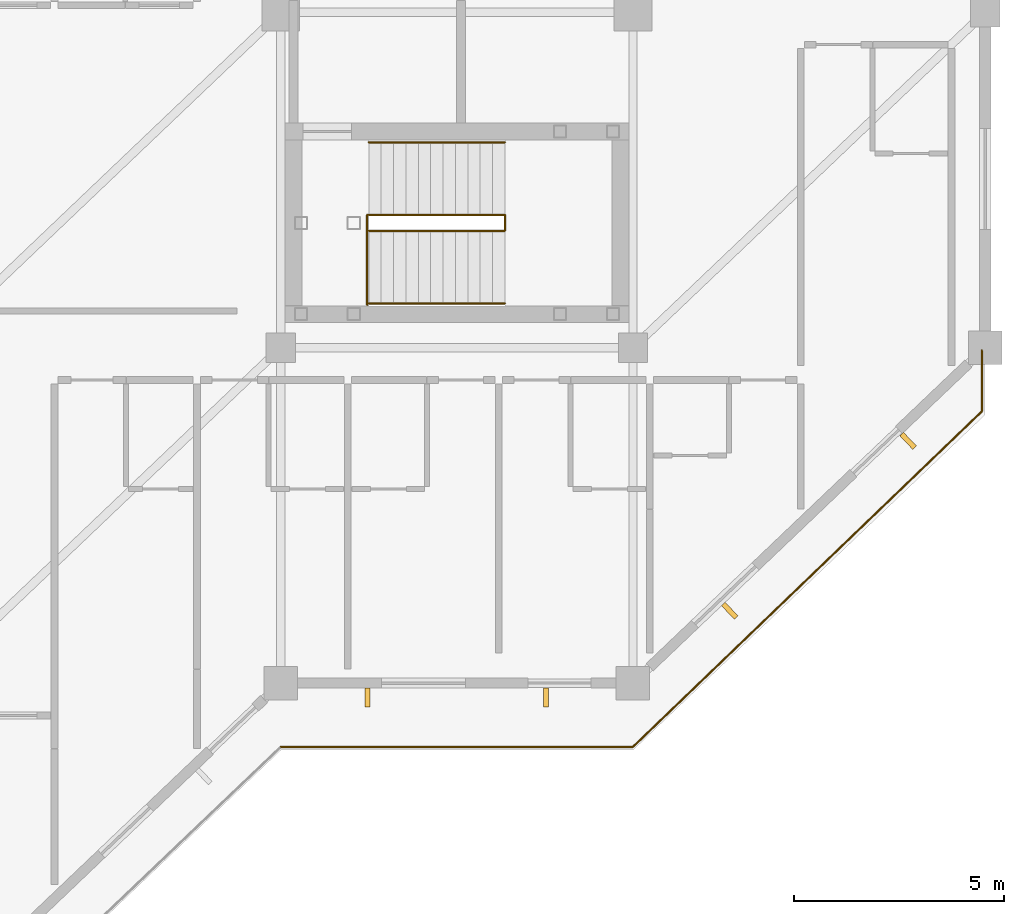
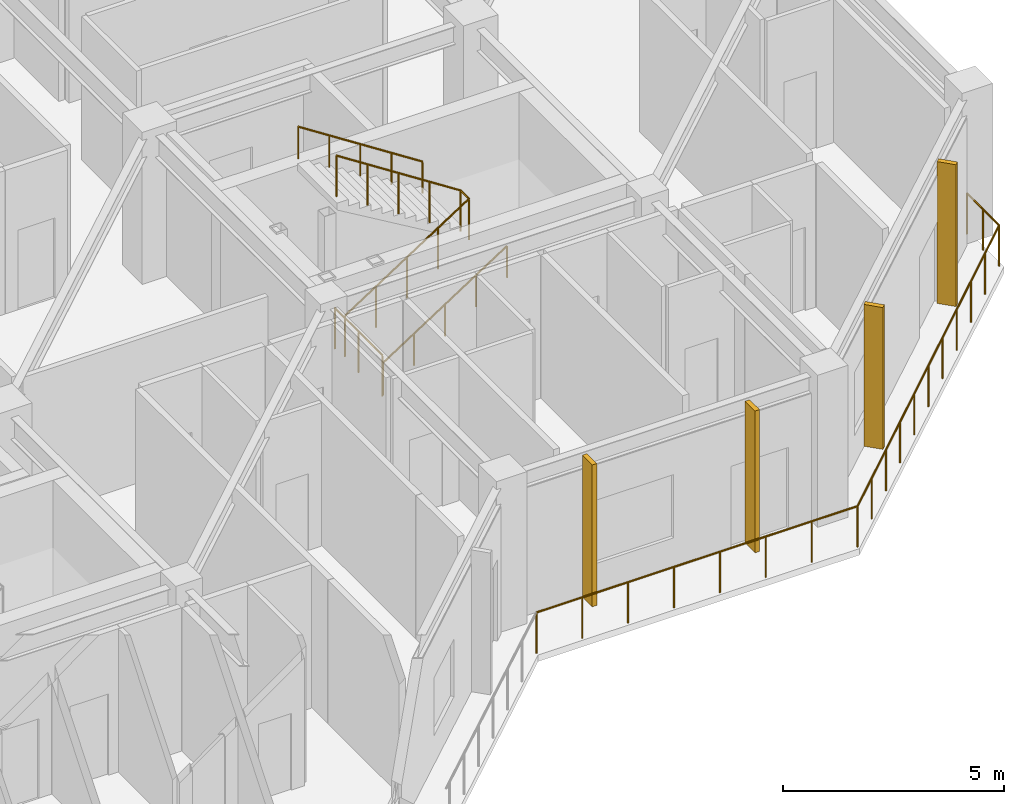
# One storey, part 21 of 22: 9 railings, 4 shading devices.
"""IFC4 building model written with IfcOpenShell, lengths in metres."""

from ifc_helpers import new_model, si_unit, direction, frame, origin, origin_2d, place, context, subcontext, project, spatial, rectangle, circle, extrude, material, layer, layer_set, type_object, element, save


model = new_model("IFC4")

# Units and contexts
model_context = context("Model", 3, precision=1e-05, world=origin(), true_north=direction((0.0, 1.0)))
body_context = subcontext(model_context, "Body", "Model", "MODEL_VIEW")
ifc_project = project(units=[si_unit("LENGTHUNIT", "METRE"), si_unit("AREAUNIT", "SQUARE_METRE"), si_unit("VOLUMEUNIT", "CUBIC_METRE"), si_unit("PLANEANGLEUNIT", "RADIAN"), si_unit("MASSUNIT", "GRAM", prefix="KILO")], contexts=[model_context])

# Site, building, storey
site_placement = place(None, origin())
site = spatial("IfcSite", under=ifc_project, at=site_placement, CompositionType="ELEMENT")
building_placement = place(site_placement, origin())
building = spatial("IfcBuilding", under=site, at=building_placement, Name="Naruveol Harbour Congress Hotel", CompositionType="ELEMENT")
storey_placement = place(building_placement, frame((0.0, 0.0, 21.0)))
storey = spatial("IfcBuildingStorey", under=building, at=storey_placement, Name="L04", CompositionType="ELEMENT", Elevation=21.0)

# Railings
ifc_material_1 = material(Name="Tempered Laminated Safety Glass & Stainless Steel", Category="steel")
ifc_layer_1 = layer(ifc_material_1, 0.06005859375)
ifc_layer_set_1 = layer_set([ifc_layer_1], Name="Tempered Laminated Safety Glass & Stainless Steel")
railing_type_1 = type_object("IfcRailingType", Name="LAMINATED GLASS TERRACE BALUSTRADE 1150", PredefinedType="BALUSTRADE", material=ifc_layer_set_1)
railing_1_placement = place(storey_placement, frame((168.0, 14.47998046875, 0.0)))
element("IfcRailing", 1, at=railing_1_placement, inside=storey, type_object=railing_type_1, Name="L04 Harbour balcony balustrade #75", PredefinedType="BALUSTRADE", context=body_context, shape_type="SweptSolid", body=[
    extrude(circle(Radius=0.02392578125, at=origin_2d()), frame((0.0, 0.0, 1.1259765625), z_axis=(1.0, 0.0, 0.0), x_axis=(0.0, 1.0, 0.0)), (0.0, 0.0, 1.0), 8.39990234375),
    extrude(circle(Radius=0.02099609375, at=origin_2d()), origin(), (0.0, 0.0, 1.0), 1.101806640625),
    extrude(circle(Radius=0.02099609375, at=origin_2d()), frame((1.199951171875, 0.0, 0.0)), (0.0, 0.0, 1.0), 1.101806640625),
    extrude(circle(Radius=0.02099609375, at=origin_2d()), frame((2.39990234375, 0.0, 0.0)), (0.0, 0.0, 1.0), 1.101806640625),
    extrude(circle(Radius=0.02099609375, at=origin_2d()), frame((3.599853515625, 0.0, 0.0)), (0.0, 0.0, 1.0), 1.101806640625),
    extrude(circle(Radius=0.02099609375, at=origin_2d()), frame((4.800048828125, 0.0, 0.0)), (0.0, 0.0, 1.0), 1.101806640625),
    extrude(circle(Radius=0.02099609375, at=origin_2d()), frame((6.0, 0.0, 0.0)), (0.0, 0.0, 1.0), 1.101806640625),
    extrude(circle(Radius=0.02099609375, at=origin_2d()), frame((7.199951171875, 0.0, 0.0)), (0.0, 0.0, 1.0), 1.101806640625),
    extrude(circle(Radius=0.02099609375, at=origin_2d()), frame((8.39990234375, 0.0, 0.0)), (0.0, 0.0, 1.0), 1.101806640625),
])
railing_2_placement = place(storey_placement, frame((176.39990234375, 14.47998046875, 0.0)))
element("IfcRailing", 2, at=railing_2_placement, inside=storey, type_object=railing_type_1, Name="L04 Harbour balcony balustrade #76", PredefinedType="BALUSTRADE", context=body_context, shape_type="SweptSolid", body=[
    extrude(circle(Radius=0.02392578125, at=origin_2d()), frame((0.0, 0.0, 1.1259765625), z_axis=(0.72083591008, 0.693105757255, 0.0), x_axis=(-0.693105757255, 0.72083591008, 0.0)), (0.0, 0.0, 1.0), 11.542236328125),
    extrude(circle(Radius=0.02099609375, at=origin_2d()), origin(), (0.0, 0.0, 1.0), 1.101806640625),
    extrude(circle(Radius=0.02099609375, at=origin_2d()), frame((0.83203125, 0.800048828125, 0.0)), (0.0, 0.0, 1.0), 1.101806640625),
    extrude(circle(Radius=0.02099609375, at=origin_2d()), frame((1.6640625, 1.60009765625, 0.0)), (0.0, 0.0, 1.0), 1.101806640625),
    extrude(circle(Radius=0.02099609375, at=origin_2d()), frame((2.49609375, 2.39990234375, 0.0)), (0.0, 0.0, 1.0), 1.101806640625),
    extrude(circle(Radius=0.02099609375, at=origin_2d()), frame((3.328125, 3.199951171875, 0.0)), (0.0, 0.0, 1.0), 1.101806640625),
    extrude(circle(Radius=0.02099609375, at=origin_2d()), frame((4.16015625, 4.0, 0.0)), (0.0, 0.0, 1.0), 1.101806640625),
    extrude(circle(Radius=0.02099609375, at=origin_2d()), frame((4.991943359375, 4.800048828125, 0.0)), (0.0, 0.0, 1.0), 1.101806640625),
    extrude(circle(Radius=0.02099609375, at=origin_2d()), frame((5.823974609375, 5.60009765625, 0.0)), (0.0, 0.0, 1.0), 1.101806640625),
    extrude(circle(Radius=0.02099609375, at=origin_2d()), frame((6.656005859375, 6.39990234375, 0.0)), (0.0, 0.0, 1.0), 1.101806640625),
    extrude(circle(Radius=0.02099609375, at=origin_2d()), frame((7.488037109375, 7.199951171875, 0.0)), (0.0, 0.0, 1.0), 1.101806640625),
    extrude(circle(Radius=0.02099609375, at=origin_2d()), frame((8.320068359375, 8.0, 0.0)), (0.0, 0.0, 1.0), 1.101806640625),
])
railing_3_placement = place(storey_placement, frame((184.719970703125, 22.47998046875, 0.0)))
element("IfcRailing", 3, at=railing_3_placement, inside=storey, type_object=railing_type_1, Name="L04 Harbour balcony balustrade #77", PredefinedType="BALUSTRADE", context=body_context, shape_type="SweptSolid", body=[
    extrude(circle(Radius=0.02392578125, at=origin_2d()), frame((0.0, 0.0, 1.1259765625), z_axis=(0.0, 1.0, 0.0), x_axis=(-1.0, 0.0, 0.0)), (0.0, 0.0, 1.0), 1.4599609375),
    extrude(circle(Radius=0.02099609375, at=origin_2d()), origin(), (0.0, 0.0, 1.0), 1.101806640625),
    extrude(circle(Radius=0.02099609375, at=origin_2d()), frame((0.0, 0.72998046875, 0.0)), (0.0, 0.0, 1.0), 1.101806640625),
    extrude(circle(Radius=0.02099609375, at=origin_2d()), frame((0.0, 1.4599609375, 0.0)), (0.0, 0.0, 1.0), 1.101806640625),
])

# Shading devices
ifc_material_2 = material(Name="Precast concrete C40/50", Category="concrete")
shading_device_type = type_object("IfcShadingDeviceType", Name="PRECAST VERTICAL BRISE SOLEIL FIN 120X450", PredefinedType="JALOUSIE", material=ifc_material_2)
for number, where, z_axis, x_axis, name in (
    (4, (174.327880859375, 15.659912109375, 0.0), (0.0, 0.0, 1.0), (-1.0, 0.0, 0.0), "Precast brise-soleil fin BS-V450 #19"),
    (5, (170.072021484375, 15.659912109375, 0.0), (0.0, 0.0, 1.0), (-1.0, 0.0, 0.0), "Precast brise-soleil fin BS-V450 #20"),
    (6, (182.9619140625, 21.780029296875, 0.0), (0.0, 0.0, 1.0), (-0.724171861437, -0.689619543736, 0.0), "Precast brise-soleil fin BS-V450 #22"),
    (7, (178.70703125, 17.72705078125, 0.0), (0.0, 0.0, 1.0), (-0.724171861437, -0.689619543736, 0.0), "Precast brise-soleil fin BS-V450 #23"),
):
    element("IfcShadingDevice", number, at=place(storey_placement, frame(where, z_axis=z_axis, x_axis=x_axis)), inside=storey, type_object=shading_device_type, Name=name, PredefinedType="JALOUSIE", context=body_context, shape_type="SweptSolid", body=[
        extrude(rectangle(XDim=0.1201171875, YDim=0.449951171875, at=origin_2d()), origin(), (0.0, 0.0, 1.0), 3.919921875),
    ])

# Railings
ifc_material_3 = material(Name="Stainless Steel 304", Category="steel")
ifc_layer_2 = layer(ifc_material_3, 0.0419921875)
ifc_layer_set_2 = layer_set([ifc_layer_2], Name="Stainless Steel 304")
railing_type_2 = type_object("IfcRailingType", Name="STAIR WALL MOUNTED HANDRAIL 900", PredefinedType="HANDRAIL", material=ifc_layer_set_2)
railing_4_placement = place(storey_placement, frame((170.10009765625, 25.06005859375, 0.0)))
element("IfcRailing", 8, at=railing_4_placement, inside=storey, type_object=railing_type_2, Name="Stair ST4 L04 lower wall handrail", PredefinedType="HANDRAIL", context=body_context, shape_type="SweptSolid", body=[
    extrude(circle(Radius=0.02392578125, at=origin_2d()), frame((0.0, 0.0, 0.8759765625), z_axis=(0.839514229355, 0.0, 0.543337702273), x_axis=(0.0, 1.0, 0.0)), (0.0, 0.0, 1.0), 3.865234375),
    extrude(circle(Radius=0.02099609375, at=origin_2d()), origin(), (0.0, 0.0, 1.0), 0.851806640625),
    extrude(circle(Radius=0.02099609375, at=origin_2d()), frame((0.811279296875, 0.0, 0.52490234375)), (0.0, 0.0, 1.0), 0.851806640625),
    extrude(circle(Radius=0.02099609375, at=origin_2d()), frame((1.62255859375, 0.0, 1.050048828125)), (0.0, 0.0, 1.0), 0.851806640625),
    extrude(circle(Radius=0.02099609375, at=origin_2d()), frame((2.43359375, 0.0, 1.5751953125)), (0.0, 0.0, 1.0), 0.851806640625),
    extrude(circle(Radius=0.02099609375, at=origin_2d()), frame((3.244873046875, 0.0, 2.10009765625)), (0.0, 0.0, 1.0), 0.851806640625),
])
railing_5_placement = place(storey_placement, frame((173.344970703125, 28.89990234375, 2.10009765625)))
element("IfcRailing", 9, at=railing_5_placement, inside=storey, type_object=railing_type_2, Name="Stair ST4 L04 upper wall handrail", PredefinedType="HANDRAIL", context=body_context, shape_type="SweptSolid", body=[
    extrude(circle(Radius=0.02392578125, at=origin_2d()), frame((0.0, 0.0, 0.8759765625), z_axis=(-0.839543040825, 0.0, 0.543293182916), x_axis=(0.0, -1.0, 0.0)), (0.0, 0.0, 1.0), 3.864990234375),
    extrude(circle(Radius=0.02099609375, at=origin_2d()), origin(), (0.0, 0.0, 1.0), 0.851806640625),
    extrude(circle(Radius=0.02099609375, at=origin_2d()), frame((-0.811279296875, 0.0, 0.52490234375)), (0.0, 0.0, 1.0), 0.851806640625),
    extrude(circle(Radius=0.02099609375, at=origin_2d()), frame((-1.62255859375, 0.0, 1.0498046875)), (0.0, 0.0, 1.0), 0.851806640625),
    extrude(circle(Radius=0.02099609375, at=origin_2d()), frame((-2.43359375, 0.0, 1.574951171875)), (0.0, 0.0, 1.0), 0.851806640625),
    extrude(circle(Radius=0.02099609375, at=origin_2d()), frame((-3.244873046875, 0.0, 2.099853515625)), (0.0, 0.0, 1.0), 0.851806640625),
])
ifc_material_4 = material(Name="Steel SN490", Category="steel")
ifc_layer_3 = layer(ifc_material_4, 0.044921875)
ifc_layer_set_3 = layer_set([ifc_layer_3], Name="Steel SN490")
railing_type_3 = type_object("IfcRailingType", Name="STAIRWELL STEEL GUARDRAIL 1150", PredefinedType="GUARDRAIL", material=ifc_layer_set_3)
railing_6_placement = place(storey_placement, frame((170.10009765625, 26.7900390625, 0.0)))
element("IfcRailing", 10, at=railing_6_placement, inside=storey, type_object=railing_type_3, Name="Stair ST4 L04 lower well guard", PredefinedType="GUARDRAIL", context=body_context, shape_type="SweptSolid", body=[
    extrude(circle(Radius=0.02392578125, at=origin_2d()), frame((0.0, 0.0, 1.1259765625), z_axis=(0.839514229355, 0.0, 0.543337702273), x_axis=(0.0, 1.0, 0.0)), (0.0, 0.0, 1.0), 3.865234375),
    extrude(circle(Radius=0.02099609375, at=origin_2d()), origin(), (0.0, 0.0, 1.0), 1.101806640625),
    extrude(circle(Radius=0.02099609375, at=origin_2d()), frame((0.811279296875, 0.0, 0.52490234375)), (0.0, 0.0, 1.0), 1.101806640625),
    extrude(circle(Radius=0.02099609375, at=origin_2d()), frame((1.62255859375, 0.0, 1.050048828125)), (0.0, 0.0, 1.0), 1.101806640625),
    extrude(circle(Radius=0.02099609375, at=origin_2d()), frame((2.43359375, 0.0, 1.5751953125)), (0.0, 0.0, 1.0), 1.101806640625),
    extrude(circle(Radius=0.02099609375, at=origin_2d()), frame((3.244873046875, 0.0, 2.10009765625)), (0.0, 0.0, 1.0), 1.101806640625),
])
railing_7_placement = place(storey_placement, frame((173.344970703125, 26.7900390625, 2.10009765625)))
element("IfcRailing", 11, at=railing_7_placement, inside=storey, type_object=railing_type_3, Name="Stair ST4 L04 half-landing slot guard", PredefinedType="GUARDRAIL", context=body_context, shape_type="SweptSolid", body=[
    extrude(circle(Radius=0.02392578125, at=origin_2d()), frame((0.0, 0.0, 1.1259765625), z_axis=(0.0, 1.0, 0.0), x_axis=(-1.0, 0.0, 0.0)), (0.0, 0.0, 1.0), 0.3798828125),
    extrude(circle(Radius=0.02099609375, at=origin_2d()), origin(), (0.0, 0.0, 1.0), 1.101806640625),
    extrude(circle(Radius=0.02099609375, at=origin_2d()), frame((0.0, 0.3798828125, 0.0)), (0.0, 0.0, 1.0), 1.101806640625),
])
railing_8_placement = place(storey_placement, frame((173.344970703125, 27.169921875, 2.10009765625)))
element("IfcRailing", 12, at=railing_8_placement, inside=storey, type_object=railing_type_3, Name="Stair ST4 L04 upper well guard", PredefinedType="GUARDRAIL", context=body_context, shape_type="SweptSolid", body=[
    extrude(circle(Radius=0.02392578125, at=origin_2d()), frame((0.0, 0.0, 1.1259765625), z_axis=(-0.839543040825, 0.0, 0.543293182916), x_axis=(0.0, -1.0, 0.0)), (0.0, 0.0, 1.0), 3.864990234375),
    extrude(circle(Radius=0.02099609375, at=origin_2d()), origin(), (0.0, 0.0, 1.0), 1.101806640625),
    extrude(circle(Radius=0.02099609375, at=origin_2d()), frame((-0.811279296875, 0.0, 0.52490234375)), (0.0, 0.0, 1.0), 1.101806640625),
    extrude(circle(Radius=0.02099609375, at=origin_2d()), frame((-1.62255859375, 0.0, 1.0498046875)), (0.0, 0.0, 1.0), 1.101806640625),
    extrude(circle(Radius=0.02099609375, at=origin_2d()), frame((-2.43359375, 0.0, 1.574951171875)), (0.0, 0.0, 1.0), 1.101806640625),
    extrude(circle(Radius=0.02099609375, at=origin_2d()), frame((-3.244873046875, 0.0, 2.099853515625)), (0.0, 0.0, 1.0), 1.101806640625),
])
railing_9_placement = place(storey_placement, frame((170.06005859375, 25.02001953125, 0.0)))
element("IfcRailing", 13, at=railing_9_placement, inside=storey, type_object=railing_type_3, Name="Stair ST4 L04 landing well guard", PredefinedType="GUARDRAIL", context=body_context, shape_type="SweptSolid", body=[
    extrude(circle(Radius=0.02392578125, at=origin_2d()), frame((0.0, 0.0, 1.1259765625), z_axis=(0.0, 1.0, 0.0), x_axis=(-1.0, 0.0, 0.0)), (0.0, 0.0, 1.0), 2.14990234375),
    extrude(circle(Radius=0.02099609375, at=origin_2d()), origin(), (0.0, 0.0, 1.0), 1.101806640625),
    extrude(circle(Radius=0.02099609375, at=origin_2d()), frame((0.0, 1.074951171875, 0.0)), (0.0, 0.0, 1.0), 1.101806640625),
    extrude(circle(Radius=0.02099609375, at=origin_2d()), frame((0.0, 2.14990234375, 0.0)), (0.0, 0.0, 1.0), 1.101806640625),
])

save(model, "model.ifc")
